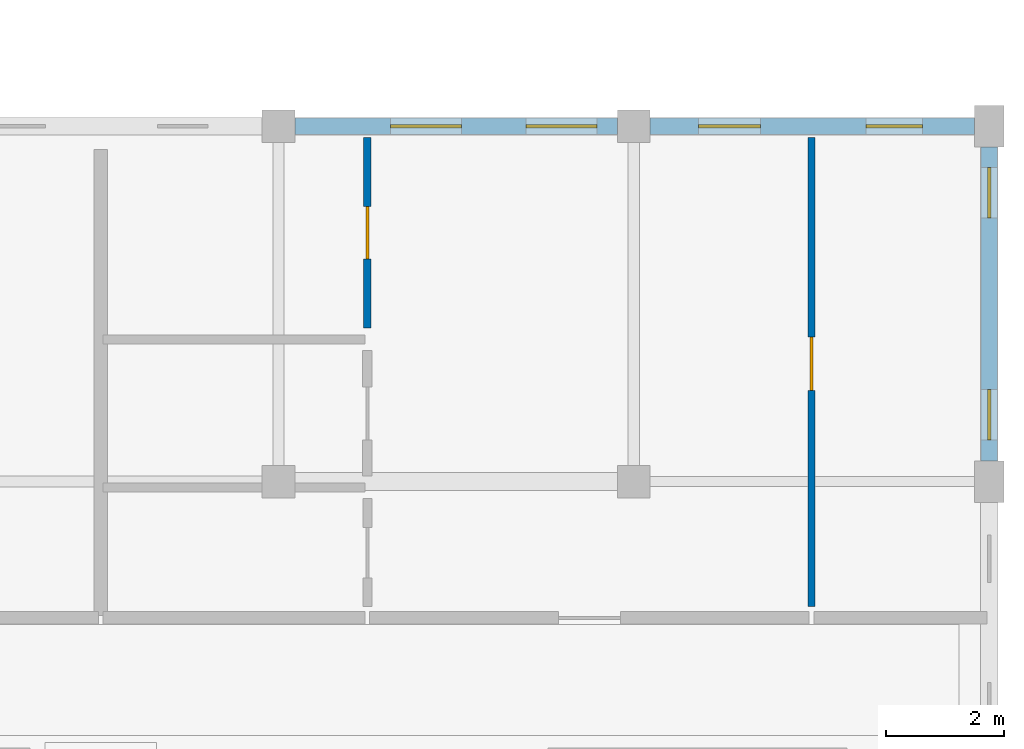
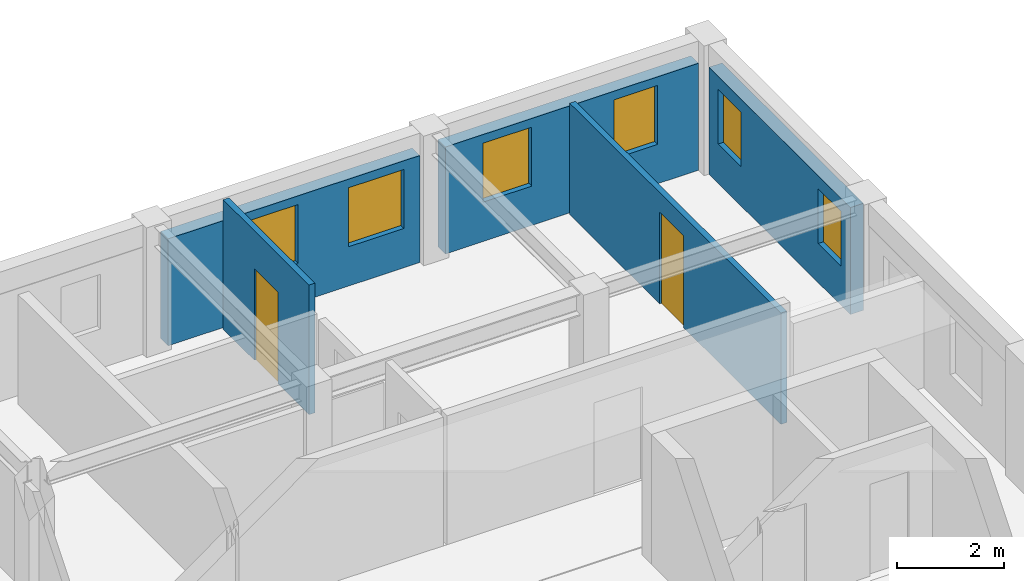
# One storey, part 82 of 101: 6 windows, 5 walls, 2 doors, 8 openings.
"""IFC4 building model written with IfcOpenShell, lengths in metres."""

from ifc_helpers import new_model, si_unit, direction, frame, frame_2d, origin, place, context, subcontext, project, spatial, rectangle, extrude, material, layer, layer_set, type_object, element, fill, save


model = new_model("IFC4")

# Units and contexts
model_context = context("Model", 3, precision=1e-05, world=origin(), true_north=direction((0.0, 1.0)))
body_context = subcontext(model_context, "Body", "Model", "MODEL_VIEW")
ifc_project = project(units=[si_unit("LENGTHUNIT", "METRE"), si_unit("AREAUNIT", "SQUARE_METRE"), si_unit("VOLUMEUNIT", "CUBIC_METRE"), si_unit("PLANEANGLEUNIT", "RADIAN"), si_unit("MASSUNIT", "GRAM", prefix="KILO"), si_unit("POWERUNIT", "WATT"), si_unit("THERMODYNAMICTEMPERATUREUNIT", "KELVIN")], contexts=[model_context])

# Site, building, storey
site_placement = place(None, origin())
site = spatial("IfcSite", under=ifc_project, at=site_placement, CompositionType="ELEMENT")
building_placement = place(site_placement, origin())
building = spatial("IfcBuilding", under=site, at=building_placement, Name="Ruvembo Vaulted Housing Court", CompositionType="ELEMENT")
storey_placement = place(building_placement, frame((0.0, 0.0, 17.300048828125)))
storey = spatial("IfcBuildingStorey", under=building, at=storey_placement, Name="L05", CompositionType="ELEMENT", Elevation=17.300048828125)

# Wall, openings, windows
ifc_material_1 = material(Name="Rendered Masonry 285", Category="masonry")
ifc_layer_1 = layer(ifc_material_1, 0.284912109375, Name="Rendered Masonry 285")
ifc_layer_set_1 = layer_set([ifc_layer_1], Name="Rendered Masonry 285")
wall_type_1 = type_object("IfcWallType", Name="WL-EXT-285", PredefinedType="STANDARD", material=ifc_layer_set_1)
wall_1_placement = place(storey_placement, frame((186.0, 96.35009765625, 0.0), z_axis=(0.0, 0.0, 1.0), x_axis=(0.0, 1.0, 0.0)))
wall_1 = element("IfcWall", 1, at=wall_1_placement, inside=storey, type_object=wall_type_1, Name="Block D L05 Exterior Wall EAST #5", PredefinedType="STANDARD", context=body_context, shape_type="SweptSolid", body=[
    extrude(rectangle(XDim=5.2998046875, YDim=0.284912109375, at=frame_2d((2.64990234375, 0.0))), origin(), (0.0, 0.0, 1.0), 2.447021484375),
])
opening_1_placement = place(wall_1_placement, frame((0.35009765625, 0.0, 0.89990234375)))
opening_1 = element("IfcOpeningElement", 2, at=opening_1_placement, cuts=wall_1, Name="Opening W03", PredefinedType="OPENING", context=body_context, shape_type="SweptSolid", body=[
    extrude(rectangle(XDim=0.85009765625, YDim=1.25, at=frame_2d((0.425048828125, 0.625))), frame((0.0, 0.15234375, 0.0), z_axis=(0.0, -1.0, 0.0), x_axis=(1.0, 0.0, 0.0)), (0.0, 0.0, 1.0), 0.304931640625),
])
opening_2_placement = place(wall_1_placement, frame((4.10009765625, 0.0, 0.89990234375)))
opening_2 = element("IfcOpeningElement", 3, at=opening_2_placement, cuts=wall_1, Name="Opening W03", PredefinedType="OPENING", context=body_context, shape_type="SweptSolid", body=[
    extrude(rectangle(XDim=0.85009765625, YDim=1.25, at=frame_2d((0.425048828125, 0.625))), frame((0.0, 0.15234375, 0.0), z_axis=(0.0, -1.0, 0.0), x_axis=(1.0, 0.0, 0.0)), (0.0, 0.0, 1.0), 0.304931640625),
])
ifc_material_2 = material(Name="Double Solar-Control Glazing in Aluminium Frame", Category="aluminium")
window_type_1 = type_object("IfcWindowType", Name="WIN-0850x1250", PartitioningType="SINGLE_PANEL", PredefinedType="WINDOW", material=ifc_material_2)
window_1_placement = place(opening_1_placement, origin())
window_1 = element("IfcWindow", 4, at=window_1_placement, inside=storey, type_object=window_type_1, Name="Block D L05 Window #1681", OverallHeight=1.25, OverallWidth=0.85009765625, PartitioningType="SINGLE_PANEL", PredefinedType="WINDOW", context=body_context, shape_type="SweptSolid", body=[
    extrude(rectangle(XDim=0.85009765625, YDim=1.25, at=frame_2d((0.425048828125, 0.625))), frame((0.0, 0.030029296875, 0.0), z_axis=(0.0, -1.0, 0.0), x_axis=(1.0, 0.0, 0.0)), (0.0, 0.0, 1.0), 0.06005859375),
])
fill(opening_1, window_1)
window_2_placement = place(opening_2_placement, origin())
window_2 = element("IfcWindow", 5, at=window_2_placement, inside=storey, type_object=window_type_1, Name="Block D L05 Window #1682", OverallHeight=1.25, OverallWidth=0.85009765625, PartitioningType="SINGLE_PANEL", PredefinedType="WINDOW", context=body_context, shape_type="SweptSolid", body=[
    extrude(rectangle(XDim=0.85009765625, YDim=1.25, at=frame_2d((0.425048828125, 0.625))), frame((0.0, 0.030029296875, 0.0), z_axis=(0.0, -1.0, 0.0), x_axis=(1.0, 0.0, 0.0)), (0.0, 0.0, 1.0), 0.06005859375),
])
fill(opening_2, window_2)

wall_2_placement = place(storey_placement, frame((185.75, 102.0, 0.0), z_axis=(0.0, 0.0, 1.0), x_axis=(-1.0, 0.0, 0.0)))
wall_2 = element("IfcWall", 6, at=wall_2_placement, inside=storey, type_object=wall_type_1, Name="Block D L05 Exterior Wall STREET #1", PredefinedType="STANDARD", context=body_context, shape_type="SweptSolid", body=[
    extrude(rectangle(XDim=5.47509765625, YDim=0.284912109375, at=frame_2d((2.737548828125, 0.0))), origin(), (0.0, 0.0, 1.0), 2.447021484375),
])
opening_3_placement = place(wall_2_placement, frame((0.8798828125, 0.0, 0.89990234375)))
opening_3 = element("IfcOpeningElement", 7, at=opening_3_placement, cuts=wall_2, Name="Opening W07", PredefinedType="OPENING", context=body_context, shape_type="SweptSolid", body=[
    extrude(rectangle(XDim=0.949951171875, YDim=1.35009765625, at=frame_2d((0.47509765625, 0.675048828125))), frame((0.0, 0.15234375, 0.0), z_axis=(0.0, -1.0, 0.0), x_axis=(1.0, 0.0, 0.0)), (0.0, 0.0, 1.0), 0.304931640625),
])
opening_4_placement = place(wall_2_placement, frame((3.607421875, 0.0, 0.89990234375)))
opening_4 = element("IfcOpeningElement", 8, at=opening_4_placement, cuts=wall_2, Name="Opening W09", PredefinedType="OPENING", context=body_context, shape_type="SweptSolid", body=[
    extrude(rectangle(XDim=1.050048828125, YDim=1.35009765625, at=frame_2d((0.52490234375, 0.675048828125))), frame((0.0, 0.15234375, 0.0), z_axis=(0.0, -1.0, 0.0), x_axis=(1.0, 0.0, 0.0)), (0.0, 0.0, 1.0), 0.304931640625),
])
window_type_2 = type_object("IfcWindowType", Name="WIN-0950x1350", PartitioningType="SINGLE_PANEL", PredefinedType="WINDOW", material=ifc_material_2)
window_3_placement = place(opening_3_placement, origin())
window_3 = element("IfcWindow", 9, at=window_3_placement, inside=storey, type_object=window_type_2, Name="Block D L05 Window #1683", OverallHeight=1.35009765625, OverallWidth=0.949951171875, PartitioningType="SINGLE_PANEL", PredefinedType="WINDOW", context=body_context, shape_type="SweptSolid", body=[
    extrude(rectangle(XDim=0.949951171875, YDim=1.35009765625, at=frame_2d((0.47509765625, 0.675048828125))), frame((0.0, 0.030029296875, 0.0), z_axis=(0.0, -1.0, 0.0), x_axis=(1.0, 0.0, 0.0)), (0.0, 0.0, 1.0), 0.06005859375),
])
fill(opening_3, window_3)
window_type_3 = type_object("IfcWindowType", Name="WIN-1050x1350", PartitioningType="SINGLE_PANEL", PredefinedType="WINDOW", material=ifc_material_2)
window_4_placement = place(opening_4_placement, origin())
window_4 = element("IfcWindow", 10, at=window_4_placement, inside=storey, type_object=window_type_3, Name="Block D L05 Window #1684", OverallHeight=1.35009765625, OverallWidth=1.050048828125, PartitioningType="SINGLE_PANEL", PredefinedType="WINDOW", context=body_context, shape_type="SweptSolid", body=[
    extrude(rectangle(XDim=1.050048828125, YDim=1.35009765625, at=frame_2d((0.52490234375, 0.675048828125))), frame((0.0, 0.030029296875, 0.0), z_axis=(0.0, -1.0, 0.0), x_axis=(1.0, 0.0, 0.0)), (0.0, 0.0, 1.0), 0.06005859375),
])
fill(opening_4, window_4)

wall_3_placement = place(storey_placement, frame((179.72509765625, 102.0, 0.0), z_axis=(0.0, 0.0, 1.0), x_axis=(-1.0, 0.0, 0.0)))
wall_3 = element("IfcWall", 11, at=wall_3_placement, inside=storey, type_object=wall_type_1, Name="Block D L05 Exterior Wall STREET #2", PredefinedType="STANDARD", context=body_context, shape_type="SweptSolid", body=[
    extrude(rectangle(XDim=5.4501953125, YDim=0.284912109375, at=frame_2d((2.72509765625, 0.0))), origin(), (0.0, 0.0, 1.0), 2.447021484375),
])
opening_5_placement = place(wall_3_placement, frame((0.35009765625, 0.0, 0.89990234375)))
opening_5 = element("IfcOpeningElement", 12, at=opening_5_placement, cuts=wall_3, Name="Opening W12", PredefinedType="OPENING", context=body_context, shape_type="SweptSolid", body=[
    extrude(rectangle(XDim=1.199951171875, YDim=1.35009765625, at=frame_2d((0.60009765625, 0.675048828125))), frame((0.0, 0.15234375, 0.0), z_axis=(0.0, -1.0, 0.0), x_axis=(1.0, 0.0, 0.0)), (0.0, 0.0, 1.0), 0.304931640625),
])
opening_6_placement = place(wall_3_placement, frame((2.635009765625, 0.0, 0.89990234375)))
opening_6 = element("IfcOpeningElement", 13, at=opening_6_placement, cuts=wall_3, Name="Opening W12", PredefinedType="OPENING", context=body_context, shape_type="SweptSolid", body=[
    extrude(rectangle(XDim=1.199951171875, YDim=1.35009765625, at=frame_2d((0.60009765625, 0.675048828125))), frame((0.0, 0.15234375, 0.0), z_axis=(0.0, -1.0, 0.0), x_axis=(1.0, 0.0, 0.0)), (0.0, 0.0, 1.0), 0.304931640625),
])
window_type_4 = type_object("IfcWindowType", Name="WIN-1200x1350", PartitioningType="SINGLE_PANEL", PredefinedType="WINDOW", material=ifc_material_2)
window_5_placement = place(opening_5_placement, origin())
window_5 = element("IfcWindow", 14, at=window_5_placement, inside=storey, type_object=window_type_4, Name="Block D L05 Window #1685", OverallHeight=1.35009765625, OverallWidth=1.199951171875, PartitioningType="SINGLE_PANEL", PredefinedType="WINDOW", context=body_context, shape_type="SweptSolid", body=[
    extrude(rectangle(XDim=1.199951171875, YDim=1.35009765625, at=frame_2d((0.60009765625, 0.675048828125))), frame((0.0, 0.030029296875, 0.0), z_axis=(0.0, -1.0, 0.0), x_axis=(1.0, 0.0, 0.0)), (0.0, 0.0, 1.0), 0.06005859375),
])
fill(opening_5, window_5)
window_6_placement = place(opening_6_placement, origin())
window_6 = element("IfcWindow", 15, at=window_6_placement, inside=storey, type_object=window_type_4, Name="Block D L05 Window #1686", OverallHeight=1.35009765625, OverallWidth=1.199951171875, PartitioningType="SINGLE_PANEL", PredefinedType="WINDOW", context=body_context, shape_type="SweptSolid", body=[
    extrude(rectangle(XDim=1.199951171875, YDim=1.35009765625, at=frame_2d((0.60009765625, 0.675048828125))), frame((0.0, 0.030029296875, 0.0), z_axis=(0.0, -1.0, 0.0), x_axis=(1.0, 0.0, 0.0)), (0.0, 0.0, 1.0), 0.06005859375),
])
fill(opening_6, window_6)

# Wall, opening, door
ifc_material_3 = material(Name="Plasterboard Stud Partition 125", Category="gypsum")
ifc_layer_2 = layer(ifc_material_3, 0.125, Name="Plasterboard Stud Partition 125")
ifc_layer_set_2 = layer_set([ifc_layer_2], Name="Plasterboard Stud Partition 125")
wall_type_2 = type_object("IfcWallType", Name="WL-PART-125", PredefinedType="PARTITIONING", material=ifc_layer_set_2)
wall_4_placement = place(storey_placement, frame((175.5, 98.590087890625, 0.0), z_axis=(0.0, 0.0, 1.0), x_axis=(0.0, 1.0, 0.0)))
wall_4 = element("IfcWall", 16, at=wall_4_placement, inside=storey, type_object=wall_type_2, Name="L05 Flat D-L05-N2 Bedroom 1 WL-INT-L05-01571", PredefinedType="PARTITIONING", context=body_context, shape_type="SweptSolid", body=[
    extrude(rectangle(XDim=3.219970703125, YDim=0.125, at=frame_2d((1.60986328125, 0.0))), origin(), (0.0, 0.0, 1.0), 2.96484375),
])
opening_7_placement = place(wall_4_placement, frame((1.169921875, 0.0, 0.0)))
opening_7 = element("IfcOpeningElement", 17, at=opening_7_placement, cuts=wall_4, Name="Opening ID3", PredefinedType="OPENING", context=body_context, shape_type="SweptSolid", body=[
    extrude(rectangle(XDim=0.8798828125, YDim=2.10009765625, at=frame_2d((0.43994140625, 1.050048828125))), frame((0.0, 0.072509765625, 0.0), z_axis=(0.0, -1.0, 0.0), x_axis=(1.0, 0.0, 0.0)), (0.0, 0.0, 1.0), 0.14501953125),
])
ifc_material_4 = material(Name="FSC Hardwood and Engineered Timber", Category="wood")
door_type_1 = type_object("IfcDoorType", Name="DR-ROOM-0880x2100", OperationType="NOTDEFINED", PredefinedType="DOOR", material=ifc_material_4)
door_1_placement = place(opening_7_placement, origin())
door_1 = element("IfcDoor", 18, at=door_1_placement, inside=storey, type_object=door_type_1, Name="L05 Flat D-L05-N2 Bedroom 1 Door DR-INT-L05-00879", OperationType="SINGLE_SWING_LEFT", OverallHeight=2.10009765625, OverallWidth=0.8798828125, PredefinedType="DOOR", context=body_context, shape_type="SweptSolid", body=[
    extrude(rectangle(XDim=0.8798828125, YDim=2.10009765625, at=frame_2d((0.43994140625, 1.050048828125))), frame((0.0, 0.02490234375, 0.0), z_axis=(0.0, -1.0, 0.0), x_axis=(1.0, 0.0, 0.0)), (0.0, 0.0, 1.0), 0.050048828125),
])
fill(opening_7, door_1)

wall_5_placement = place(storey_placement, frame((183.0, 93.889892578125, 0.0), z_axis=(0.0, 0.0, 1.0), x_axis=(0.0, 1.0, 0.0)))
wall_5 = element("IfcWall", 19, at=wall_5_placement, inside=storey, type_object=wall_type_2, Name="L05 Flat D-L05-N2 Bedroom 2 WL-INT-L05-01577", PredefinedType="PARTITIONING", context=body_context, shape_type="SweptSolid", body=[
    extrude(rectangle(XDim=7.920166015625, YDim=0.125, at=frame_2d((3.9599609375, 0.0))), origin(), (0.0, 0.0, 1.0), 2.5478515625),
])
opening_8_placement = place(wall_5_placement, frame((3.64990234375, 0.0, 0.0)))
opening_8 = element("IfcOpeningElement", 20, at=opening_8_placement, cuts=wall_5, Name="Opening ID1", PredefinedType="OPENING", context=body_context, shape_type="SweptSolid", body=[
    extrude(rectangle(XDim=0.89990234375, YDim=2.10009765625, at=frame_2d((0.449951171875, 1.050048828125))), frame((0.0, 0.072509765625, 0.0), z_axis=(0.0, -1.0, 0.0), x_axis=(1.0, 0.0, 0.0)), (0.0, 0.0, 1.0), 0.14501953125),
])
door_type_2 = type_object("IfcDoorType", Name="DR-ROOM-0900x2100", OperationType="NOTDEFINED", PredefinedType="DOOR", material=ifc_material_4)
door_2_placement = place(opening_8_placement, origin())
door_2 = element("IfcDoor", 21, at=door_2_placement, inside=storey, type_object=door_type_2, Name="L05 Flat D-L05-N2 Bedroom 2 Door DR-INT-L05-00882", OperationType="SINGLE_SWING_RIGHT", OverallHeight=2.10009765625, OverallWidth=0.89990234375, PredefinedType="DOOR", context=body_context, shape_type="SweptSolid", body=[
    extrude(rectangle(XDim=0.89990234375, YDim=2.10009765625, at=frame_2d((0.449951171875, 1.050048828125))), frame((0.0, 0.02490234375, 0.0), z_axis=(0.0, -1.0, 0.0), x_axis=(1.0, 0.0, 0.0)), (0.0, 0.0, 1.0), 0.050048828125),
])
fill(opening_8, door_2)

save(model, "model.ifc")
